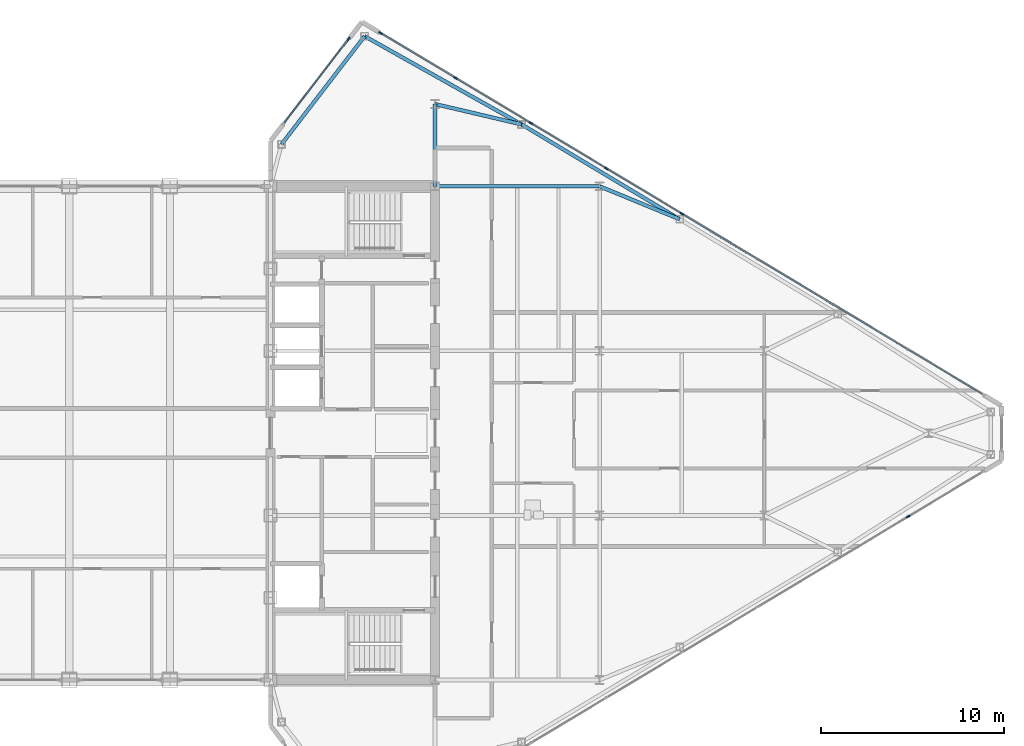
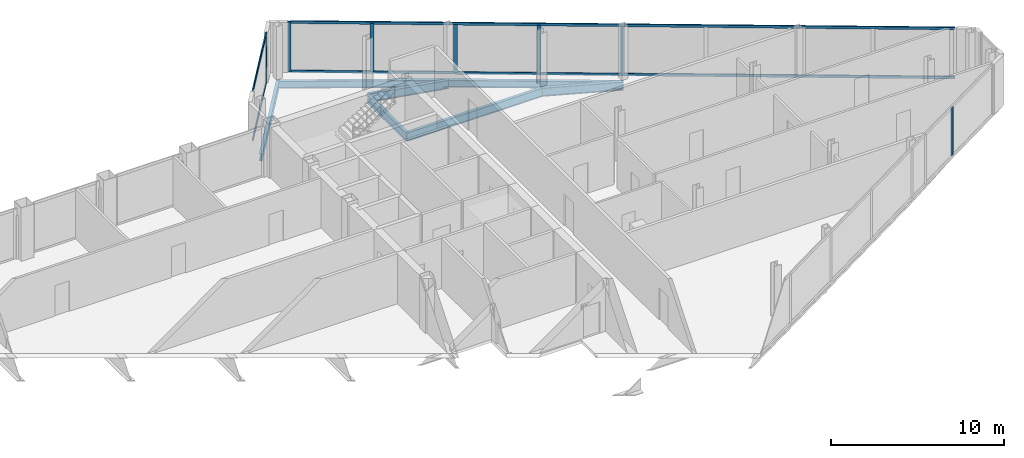
# One storey, part 17 of 29: 11 members, 7 beams, 3 elements without a shape of their own.
"""IFC4 building model written with IfcOpenShell, lengths in metres."""

from ifc_helpers import new_model, si_unit, direction, frame, origin, origin_2d, place, context, subcontext, project, spatial, rectangle, i_section, extrude, source, transform, mapped, material, layer, layer_set, material_profile, profile_set, type_object, type_shapes, element, aggregate, save


model = new_model("IFC4")

# Units and contexts
model_context = context("Model", 3, precision=1e-05, world=origin(), true_north=direction((0.0, 1.0)))
body_context = subcontext(model_context, "Body", "Model", "MODEL_VIEW")
ifc_project = project(units=[si_unit("LENGTHUNIT", "METRE"), si_unit("AREAUNIT", "SQUARE_METRE"), si_unit("VOLUMEUNIT", "CUBIC_METRE"), si_unit("PLANEANGLEUNIT", "RADIAN"), si_unit("MASSUNIT", "GRAM", prefix="KILO")], contexts=[model_context])

# Site, building, storey
site_placement = place(None, origin())
site = spatial("IfcSite", under=ifc_project, at=site_placement, CompositionType="ELEMENT")
building_placement = place(site_placement, origin())
building = spatial("IfcBuilding", under=site, at=building_placement, Name="Seokmaru Belvedere", CompositionType="ELEMENT")
storey_placement = place(building_placement, frame((0.0, 0.0, 239.39990234375)))
storey = spatial("IfcBuildingStorey", under=building, at=storey_placement, Name="L63", CompositionType="ELEMENT", Elevation=239.39990234375)

# Beams
ifc_material_1 = material(Name="Steel SM355 (355 MPa)", Category="steel")
ifc_material_profile_1 = material_profile(ifc_material_1, i_section(OverallWidth=0.199951171875, OverallDepth=0.60009765625, WebThickness=0.010986328125, FlangeThickness=0.01708984375, at=origin_2d()), Name="H-600x200x11x17")
ifc_profile_set_1 = profile_set([ifc_material_profile_1], Name="Steel SM355 (355 MPa)")
beam_type_1 = type_object("IfcBeamType", Name="Primary Floor Girder H-600", PredefinedType="BEAM", material=ifc_profile_set_1)
shared_shape_1 = source(origin(), body_context, "Body", "SweptSolid", [
    extrude(i_section(OverallWidth=0.199951171875, OverallDepth=0.60009765625, WebThickness=0.010986328125, FlangeThickness=0.01708984375, at=origin_2d()), origin(), (0.0, 0.0, 1.0), 9.0),
])
beam_1_placement = place(storey_placement, frame((36.5, 13.5, -0.52001953125), z_axis=(1.0, 0.0, 0.0), x_axis=(0.0, 1.0, 0.0)))
element("IfcBeam", 1, at=beam_1_placement, inside=storey, type_object=beam_type_1, Name="L63 E Wing Primary Girder 4", PredefinedType="BEAM", context=body_context, shape_type="MappedRepresentation", body=[
    mapped(shared_shape_1, transform((0.0, 0.0, 0.0), scale=1.0)),
])
shared_shape_2 = source(origin(), body_context, "Body", "SweptSolid", [
    extrude(i_section(OverallWidth=0.199951171875, OverallDepth=0.60009765625, WebThickness=0.010986328125, FlangeThickness=0.01708984375, at=origin_2d()), origin(), (0.0, 0.0, 1.0), 4.5),
])
beam_2_placement = place(storey_placement, frame((36.5, 13.5, -0.52001953125), z_axis=(0.0, 1.0, 0.0), x_axis=(-1.0, 0.0, 0.0)))
element("IfcBeam", 2, at=beam_2_placement, inside=storey, type_object=beam_type_1, Name="L63 E Core Shoulder Girder N", PredefinedType="BEAM", context=body_context, shape_type="MappedRepresentation", body=[
    mapped(shared_shape_2, transform((0.0, 0.0, 0.0), scale=1.0)),
])
ifc_material_profile_2 = material_profile(ifc_material_1, i_section(OverallWidth=0.199951171875, OverallDepth=0.5, WebThickness=0.010009765625, FlangeThickness=0.01611328125, at=origin_2d()), Name="H-500x200x10x16")
ifc_profile_set_2 = profile_set([ifc_material_profile_2], Name="Steel SM355 (355 MPa)")
beam_type_2 = type_object("IfcBeamType", Name="Perimeter Spandrel Beam H-500", PredefinedType="SPANDREL", material=ifc_profile_set_2)
shared_shape_3 = source(origin(), body_context, "Body", "SweptSolid", [
    extrude(i_section(OverallWidth=0.199951171875, OverallDepth=0.5, WebThickness=0.010009765625, FlangeThickness=0.01611328125, at=origin_2d()), origin(), (0.0, 0.0, 1.0), 9.842041015625),
])
beam_3_placement = place(storey_placement, frame((32.649658203125, 21.71044921875, -0.469970703125), z_axis=(0.871782151818, -0.489893743349, 0.0), x_axis=(0.489893743349, 0.871782151818, 0.0)))
element("IfcBeam", 3, at=beam_3_placement, inside=storey, type_object=beam_type_2, Name="L63 E Faceted Flank Spandrel N-1", PredefinedType="SPANDREL", context=body_context, shape_type="MappedRepresentation", body=[
    mapped(shared_shape_3, transform((0.0, 0.0, 0.0), scale=1.0)),
])
shared_shape_4 = source(origin(), body_context, "Body", "SweptSolid", [
    extrude(i_section(OverallWidth=0.199951171875, OverallDepth=0.5, WebThickness=0.010009765625, FlangeThickness=0.01611328125, at=origin_2d()), origin(), (0.0, 0.0, 1.0), 10.087646484375),
])
beam_4_placement = place(storey_placement, frame((41.229736328125, 16.888916015625, -0.469970703125), z_axis=(0.857499332045, -0.514485078056, 0.0), x_axis=(0.514485078056, 0.857499332045, 0.0)))
element("IfcBeam", 4, at=beam_4_placement, inside=storey, type_object=beam_type_2, Name="L63 E Faceted Flank Spandrel N-2", PredefinedType="SPANDREL", context=body_context, shape_type="MappedRepresentation", body=[
    mapped(shared_shape_4, transform((0.0, 0.0, 0.0), scale=1.0)),
])
shared_shape_5 = source(origin(), body_context, "Body", "SweptSolid", [
    extrude(i_section(OverallWidth=0.199951171875, OverallDepth=0.5, WebThickness=0.010009765625, FlangeThickness=0.01611328125, at=origin_2d()), origin(), (0.0, 0.0, 1.0), 7.4619140625),
])
type_shapes(beam_type_2, [shared_shape_3, shared_shape_4, shared_shape_5])
beam_5_placement = place(storey_placement, frame((32.649658203125, 21.71044921875, -0.469970703125), z_axis=(-0.609702854945, -0.792630070507, 0.0), x_axis=(0.792630070507, -0.609702854945, 0.0)))
element("IfcBeam", 5, at=beam_5_placement, inside=storey, type_object=beam_type_2, Name="L63 E Shoulder Chamfer Spandrel N", PredefinedType="SPANDREL", context=body_context, shape_type="MappedRepresentation", body=[
    mapped(shared_shape_5, transform((0.0, 0.0, 0.0), scale=1.0)),
])
shared_shape_6 = source(origin(), body_context, "Body", "SweptSolid", [
    extrude(i_section(OverallWidth=0.199951171875, OverallDepth=0.60009765625, WebThickness=0.010986328125, FlangeThickness=0.01708984375, at=origin_2d()), origin(), (0.0, 0.0, 1.0), 4.8583984375),
])
beam_6_placement = place(storey_placement, frame((41.229736328125, 16.888916015625, -0.52001953125), z_axis=(-0.97349948295, 0.228689214211, 0.0), x_axis=(-0.228689214211, -0.97349948295, 0.0)))
element("IfcBeam", 6, at=beam_6_placement, inside=storey, type_object=beam_type_1, Name="L63 E Flank Radial Floor Girder N-1", PredefinedType="BEAM", context=body_context, shape_type="MappedRepresentation", body=[
    mapped(shared_shape_6, transform((0.0, 0.0, 0.0), scale=1.0)),
])
shared_shape_7 = source(origin(), body_context, "Body", "SweptSolid", [
    extrude(i_section(OverallWidth=0.199951171875, OverallDepth=0.60009765625, WebThickness=0.010986328125, FlangeThickness=0.01708984375, at=origin_2d()), origin(), (0.0, 0.0, 1.0), 4.73583984375),
])
type_shapes(beam_type_1, [shared_shape_1, shared_shape_2, shared_shape_6, shared_shape_7])
beam_7_placement = place(storey_placement, frame((49.8798828125, 11.698974609375, -0.52001953125), z_axis=(-0.924860562953, 0.380306375301, 0.0), x_axis=(-0.380306375301, -0.924860562953, 0.0)))
element("IfcBeam", 7, at=beam_7_placement, inside=storey, type_object=beam_type_1, Name="L63 E Flank Radial Floor Girder N-2", PredefinedType="BEAM", context=body_context, shape_type="MappedRepresentation", body=[
    mapped(shared_shape_7, transform((0.0, 0.0, 0.0), scale=1.0)),
])

# Curtain wall, members
ifc_material_2 = material(Name="Bronze Triple Insulating Glass", Category="glass")
ifc_layer = layer(ifc_material_2, 0.219970703125)
ifc_layer_set = layer_set([ifc_layer], Name="Bronze Triple Insulating Glass")
curtain_wall_type = type_object("IfcCurtainWallType", Name="Sky-Gate Bridge Panorama Curtain Wall System CW-6", PredefinedType="NOTDEFINED", material=ifc_layer_set)
curtain_wall_1_placement = place(storey_placement, origin())
curtain_wall_1 = element("IfcCurtainWall", 8, at=curtain_wall_1_placement, inside=storey, type_object=curtain_wall_type, Name="L63 Curtain Wall EF4", PredefinedType="NOTDEFINED")
ifc_material_3 = material(Name="Anodised Bronze Aluminium", Category="aluminium")
ifc_material_profile_3 = material_profile(ifc_material_3, rectangle(XDim=0.074951171875, YDim=0.179931640625, at=origin_2d()), Name="CW-T-75x180")
ifc_profile_set_3 = profile_set([ifc_material_profile_3], Name="Anodised Bronze Aluminium")
member_type_1 = type_object("IfcMemberType", Name="Bronze Unitised Transom 75x180", PredefinedType="USERDEFINED", material=ifc_profile_set_3)
shared_shape_8 = source(origin(), body_context, "Body", "SweptSolid", [
    extrude(rectangle(XDim=0.074951171875, YDim=0.179931640625, at=origin_2d()), origin(), (0.0, 0.0, 1.0), 5.74072265625),
])
member_1_placement = place(storey_placement, frame((31.75, 21.525146484375, 0.03759765625), z_axis=(-0.609686097287, -0.792642960465, 0.0), x_axis=(0.792642960465, -0.609686097287, 0.0)))
member_1 = element("IfcMember", 9, at=member_1_placement, type_object=member_type_1, Name="CW:L63:EF4 Continuous Transom 1", ObjectType="TRANSOM", PredefinedType="USERDEFINED", context=body_context, shape_type="MappedRepresentation", body=[
    mapped(shared_shape_8, transform((0.0, 0.0, 0.0), scale=1.0)),
])
member_2_placement = place(storey_placement, frame((31.75, 21.525146484375, 3.49267578125), z_axis=(-0.609686097287, -0.792642960465, 0.0), x_axis=(0.792642960465, -0.609686097287, 0.0)))
member_2 = element("IfcMember", 10, at=member_2_placement, type_object=member_type_1, Name="CW:L63:EF4 Continuous Transom 2", ObjectType="TRANSOM", PredefinedType="USERDEFINED", context=body_context, shape_type="MappedRepresentation", body=[
    mapped(shared_shape_8, transform((0.0, 0.0, 0.0), scale=1.0)),
])

curtain_wall_2_placement = place(storey_placement, origin())
curtain_wall_2 = element("IfcCurtainWall", 11, at=curtain_wall_2_placement, inside=storey, type_object=curtain_wall_type, Name="L63 Curtain Wall EF3", PredefinedType="NOTDEFINED")
shared_shape_9 = source(origin(), body_context, "Body", "SweptSolid", [
    extrude(rectangle(XDim=0.074951171875, YDim=0.179931640625, at=origin_2d()), origin(), (0.0, 0.0, 1.0), 38.356689453125),
])
type_shapes(member_type_1, [shared_shape_8, shared_shape_9])
member_3_placement = place(storey_placement, frame((66.4453125, 2.1328125, 0.03759765625), z_axis=(-0.857492925713, 0.514495755428, 0.0), x_axis=(-0.514495755428, -0.857492925713, 0.0)))
member_3 = element("IfcMember", 12, at=member_3_placement, type_object=member_type_1, Name="CW:L63:EF3 Continuous Transom 1", ObjectType="TRANSOM", PredefinedType="USERDEFINED", context=body_context, shape_type="MappedRepresentation", body=[
    mapped(shared_shape_9, transform((0.0, 0.0, 0.0), scale=1.0)),
])
member_4_placement = place(storey_placement, frame((66.4453125, 2.1328125, 3.49267578125), z_axis=(-0.857492925713, 0.514495755428, 0.0), x_axis=(-0.514495755428, -0.857492925713, 0.0)))
member_4 = element("IfcMember", 13, at=member_4_placement, type_object=member_type_1, Name="CW:L63:EF3 Continuous Transom 2", ObjectType="TRANSOM", PredefinedType="USERDEFINED", context=body_context, shape_type="MappedRepresentation", body=[
    mapped(shared_shape_9, transform((0.0, 0.0, 0.0), scale=1.0)),
])
ifc_material_profile_4 = material_profile(ifc_material_3, rectangle(XDim=0.080078125, YDim=0.219970703125, at=origin_2d()), Name="CW-M-80x220")
ifc_profile_set_4 = profile_set([ifc_material_profile_4], Name="Anodised Bronze Aluminium")
member_type_2 = type_object("IfcMemberType", Name="Bronze Unitised Mullion 80x220", PredefinedType="MULLION", material=ifc_profile_set_4)
shared_shape_10 = source(origin(), body_context, "Body", "SweptSolid", [
    extrude(rectangle(XDim=0.080078125, YDim=0.219970703125, at=origin_2d()), origin(), (0.0, 0.0, 1.0), 3.530029296875),
])
member_5_placement = place(storey_placement, frame((33.5205078125, 21.8876953125, 0.0), z_axis=(0.0, 0.0, 1.0), x_axis=(-0.514494909364, -0.85749343335, 0.0)))
member_5 = element("IfcMember", 14, at=member_5_placement, type_object=member_type_2, Name="CW:L63:EF3 Mullion 9", PredefinedType="MULLION", context=body_context, shape_type="MappedRepresentation", body=[
    mapped(shared_shape_10, transform((0.0, 0.0, 0.0), scale=1.0)),
])

# Member
member_6_placement = place(storey_placement, frame((31.7744140625, 21.556884765625, 0.0), z_axis=(0.0, 0.0, 1.0), x_axis=(0.792631353244, -0.609701187349, 0.0)))
member_6 = element("IfcMember", 15, at=member_6_placement, type_object=member_type_2, Name="CW:L63:EF4 Mullion 1", PredefinedType="MULLION", context=body_context, shape_type="MappedRepresentation", body=[
    mapped(shared_shape_10, transform((0.0, 0.0, 0.0), scale=1.0)),
])

aggregate(curtain_wall_1, [member_6, member_1, member_2])

# Curtain wall, member
curtain_wall_3_placement = place(storey_placement, origin())
curtain_wall_3 = element("IfcCurtainWall", 16, at=curtain_wall_3_placement, inside=storey, type_object=curtain_wall_type, Name="L63 Curtain Wall EF1", PredefinedType="NOTDEFINED")
shared_shape_11 = source(origin(), body_context, "Body", "SweptSolid", [
    extrude(rectangle(XDim=0.080078125, YDim=0.219970703125, at=origin_2d()), origin(), (0.0, 0.0, 1.0), 3.3798828125),
])
type_shapes(member_type_2, [shared_shape_10, shared_shape_11])
member_7_placement = place(storey_placement, frame((62.385498046875, -4.56884765625, 0.0751953125), z_axis=(0.0, 0.0, 1.0), x_axis=(-0.514494909364, 0.85749343335, 0.0)))
member_7 = element("IfcMember", 17, at=member_7_placement, type_object=member_type_2, Name="CW:L63:EF1 Mullion 8", PredefinedType="MULLION", context=body_context, shape_type="MappedRepresentation", body=[
    mapped(shared_shape_11, transform((0.0, 0.0, 0.0), scale=1.0)),
])
aggregate(curtain_wall_3, [member_7])

# Member
member_8_placement = place(storey_placement, frame((50.0, 12.0, 0.0751953125), z_axis=(0.0, 0.0, 1.0), x_axis=(-0.514494909364, -0.85749343335, 0.0)))
member_8 = element("IfcMember", 18, at=member_8_placement, type_object=member_type_2, Name="CW:L63:EF3 Mullion 5", PredefinedType="MULLION", context=body_context, shape_type="MappedRepresentation", body=[
    mapped(shared_shape_11, transform((0.0, 0.0, 0.0), scale=1.0)),
])

member_9_placement = place(storey_placement, frame((45.87158203125, 14.47705078125, 0.0751953125), z_axis=(0.0, 0.0, 1.0), x_axis=(-0.514494909364, -0.85749343335, 0.0)))
member_9 = element("IfcMember", 19, at=member_9_placement, type_object=member_type_2, Name="CW:L63:EF3 Mullion 6", PredefinedType="MULLION", context=body_context, shape_type="MappedRepresentation", body=[
    mapped(shared_shape_11, transform((0.0, 0.0, 0.0), scale=1.0)),
])

member_10_placement = place(storey_placement, frame((41.742919921875, 16.9541015625, 0.0751953125), z_axis=(0.0, 0.0, 1.0), x_axis=(-0.514494909364, -0.85749343335, 0.0)))
member_10 = element("IfcMember", 20, at=member_10_placement, type_object=member_type_2, Name="CW:L63:EF3 Mullion 7", PredefinedType="MULLION", context=body_context, shape_type="MappedRepresentation", body=[
    mapped(shared_shape_11, transform((0.0, 0.0, 0.0), scale=1.0)),
])

member_11_placement = place(storey_placement, frame((37.614501953125, 19.43115234375, 0.0751953125), z_axis=(0.0, 0.0, 1.0), x_axis=(-0.514494909364, -0.85749343335, 0.0)))
member_11 = element("IfcMember", 21, at=member_11_placement, type_object=member_type_2, Name="CW:L63:EF3 Mullion 8", PredefinedType="MULLION", context=body_context, shape_type="MappedRepresentation", body=[
    mapped(shared_shape_11, transform((0.0, 0.0, 0.0), scale=1.0)),
])

aggregate(curtain_wall_2, [member_8, member_9, member_10, member_11, member_5, member_3, member_4])

save(model, "model.ifc")
